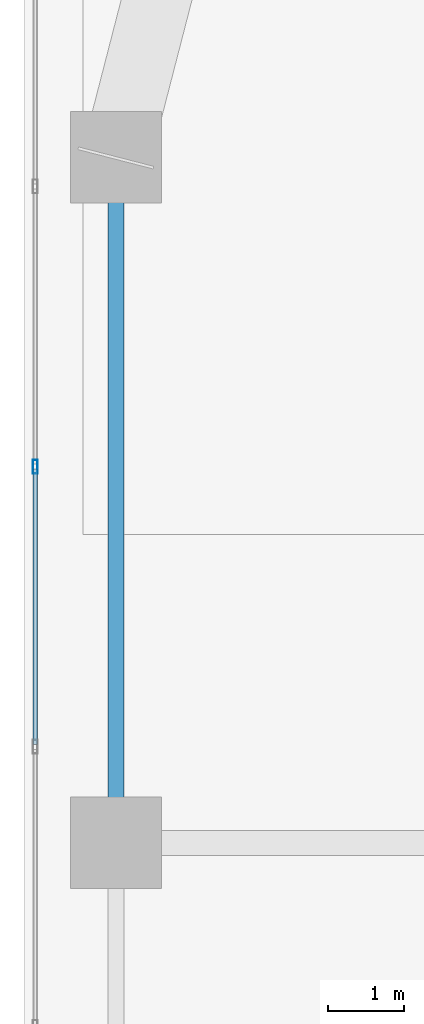
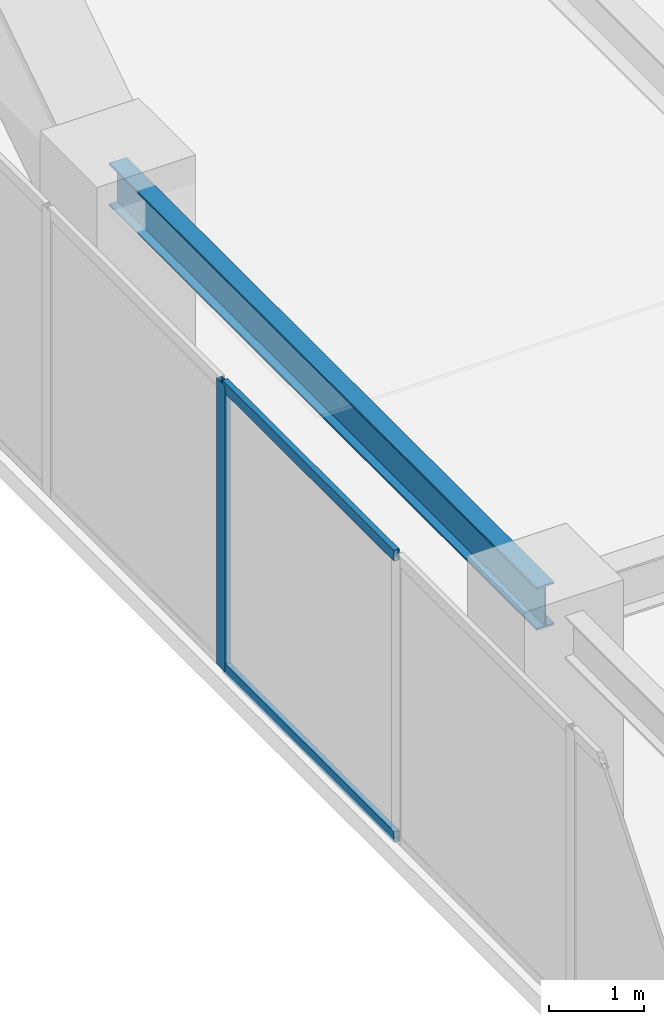
# One storey, part 7 of 30: 3 members, 1 beam, 1 element without a shape of its own.
"""IFC4 building model written with IfcOpenShell, lengths in metres."""

from ifc_helpers import new_model, si_unit, direction, frame, origin, origin_2d, place, context, subcontext, project, spatial, hollow_rectangle, i_section, extrude, material, layer, layer_set, material_profile, profile_set, type_object, element, aggregate, save


model = new_model("IFC4")

# Units and contexts
model_context = context("Model", 3, precision=1e-05, world=origin(), true_north=direction((0.0, 1.0)))
body_context = subcontext(model_context, "Body", "Model", "MODEL_VIEW")
ifc_project = project(units=[si_unit("LENGTHUNIT", "METRE"), si_unit("AREAUNIT", "SQUARE_METRE"), si_unit("VOLUMEUNIT", "CUBIC_METRE"), si_unit("PLANEANGLEUNIT", "RADIAN"), si_unit("MASSUNIT", "GRAM", prefix="KILO")], contexts=[model_context])

# Site, building, storey
site_placement = place(None, origin())
site = spatial("IfcSite", under=ifc_project, at=site_placement, CompositionType="ELEMENT")
building_placement = place(site_placement, origin())
building = spatial("IfcBuilding", under=site, at=building_placement, Name="Kiyonajd Concourse Tower", CompositionType="ELEMENT")
storey_placement = place(building_placement, frame((0.0, 0.0, 201.89990234375)))
storey = spatial("IfcBuildingStorey", under=building, at=storey_placement, Name="L51", CompositionType="ELEMENT", Elevation=201.89990234375)

# Beam
ifc_material_1 = material(Name="Steel ASTM A992 Grade 50", Category="steel")
ifc_material_profile_1 = material_profile(ifc_material_1, i_section(OverallWidth=0.214111328125, OverallDepth=0.549072265625, WebThickness=0.0146484375, FlangeThickness=0.023681640625, at=origin_2d()), Name="W530X138")
ifc_profile_set_1 = profile_set([ifc_material_profile_1], Name="Steel ASTM A992 Grade 50")
beam_type = type_object("IfcBeamType", Name="BM-SPAN-530A", PredefinedType="SPANDREL", material=ifc_profile_set_1)
beam_placement = place(storey_placement, frame((19.199951171875, 53.39990234375, 3.405517578125), z_axis=(0.0, -1.0, 0.0), x_axis=(1.0, 0.0, 0.0)))
element("IfcBeam", 1, at=beam_placement, inside=storey, type_object=beam_type, Name="L51 Perimeter Bundled Tube Spandrel", PredefinedType="SPANDREL", context=body_context, shape_type="SweptSolid", body=[
    extrude(i_section(OverallWidth=0.214111328125, OverallDepth=0.549072265625, WebThickness=0.0146484375, FlangeThickness=0.023681640625, at=origin_2d()), origin(), (0.0, 0.0, 1.0), 9.0),
])

# Curtain wall, members
ifc_material_2 = material(Name="Thermally Broken Anodised Aluminium", Category="aluminium")
ifc_layer = layer(ifc_material_2, 0.179931640625)
ifc_layer_set = layer_set([ifc_layer], Name="Thermally Broken Anodised Aluminium")
curtain_wall_type = type_object("IfcCurtainWallType", Name="CW-SYS-03", PredefinedType="NOTDEFINED", material=ifc_layer_set)
curtain_wall_placement = place(storey_placement, origin())
curtain_wall = element("IfcCurtainWall", 2, at=curtain_wall_placement, inside=storey, type_object=curtain_wall_type, Name="L51 Unitised Curtain Wall CW3", PredefinedType="NOTDEFINED")
ifc_material_profile_2 = material_profile(ifc_material_2, hollow_rectangle(XDim=0.06494140625, YDim=0.179931640625, WallThickness=0.00390625, at=origin_2d()), Name="MULL-65x180")
ifc_profile_set_2 = profile_set([ifc_material_profile_2], Name="Thermally Broken Anodised Aluminium")
member_type_1 = type_object("IfcMemberType", Name="MB-CW-MULL1", PredefinedType="MULLION", material=ifc_profile_set_2)
member_1_placement = place(storey_placement, frame((18.139892578125, 49.337646484375, 0.0), z_axis=(0.0, 0.0, 1.0), x_axis=(-1.0, 0.0, 0.0)))
member_1 = element("IfcMember", 3, at=member_1_placement, type_object=member_type_1, Name="CW3 mullion 5", PredefinedType="MULLION", context=body_context, shape_type="SweptSolid", body=[
    extrude(hollow_rectangle(XDim=0.06494140625, YDim=0.179931640625, WallThickness=0.00390625, at=origin_2d()), origin(), (0.0, 0.0, 1.0), 3.68017578125),
])
ifc_material_profile_3 = material_profile(ifc_material_2, hollow_rectangle(XDim=0.06494140625, YDim=0.139892578125, WallThickness=0.00390625, at=origin_2d()), Name="TRAN-65x140")
ifc_profile_set_3 = profile_set([ifc_material_profile_3], Name="Thermally Broken Anodised Aluminium")
member_type_2 = type_object("IfcMemberType", Name="MB-CW-TRAN1", PredefinedType="USERDEFINED", material=ifc_profile_set_3)
member_2_placement = place(storey_placement, frame((18.139892578125, 45.693359375, 0.03271484375), z_axis=(0.0, 1.0, 0.0), x_axis=(-1.0, 0.0, 0.0)))
member_2 = element("IfcMember", 4, at=member_2_placement, type_object=member_type_2, Name="CW3 transom 4.1", ObjectType="TRANSOM", PredefinedType="USERDEFINED", context=body_context, shape_type="SweptSolid", body=[
    extrude(hollow_rectangle(XDim=0.06494140625, YDim=0.139892578125, WallThickness=0.00390625, at=origin_2d()), origin(), (0.0, 0.0, 1.0), 3.61181640625),
])
member_3_placement = place(storey_placement, frame((18.139892578125, 45.693359375, 3.647705078125), z_axis=(0.0, 1.0, 0.0), x_axis=(-1.0, 0.0, 0.0)))
member_3 = element("IfcMember", 5, at=member_3_placement, type_object=member_type_2, Name="CW3 transom 4.2", ObjectType="TRANSOM", PredefinedType="USERDEFINED", context=body_context, shape_type="SweptSolid", body=[
    extrude(hollow_rectangle(XDim=0.06494140625, YDim=0.139892578125, WallThickness=0.00390625, at=origin_2d()), origin(), (0.0, 0.0, 1.0), 3.61181640625),
])
aggregate(curtain_wall, [member_1, member_2, member_3])

save(model, "model.ifc")
